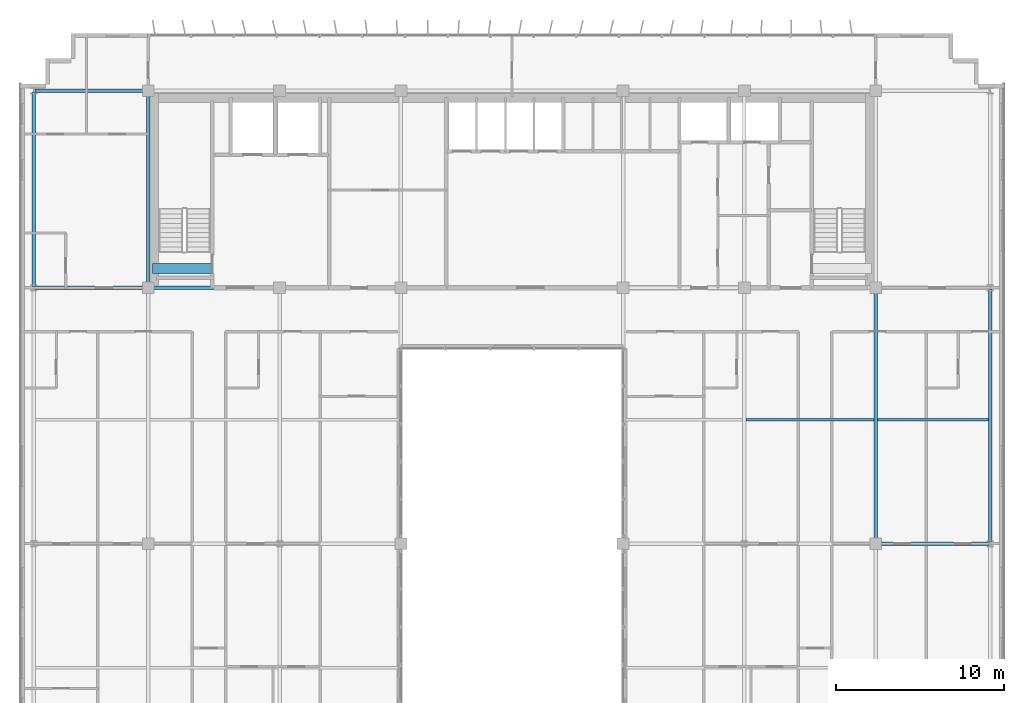
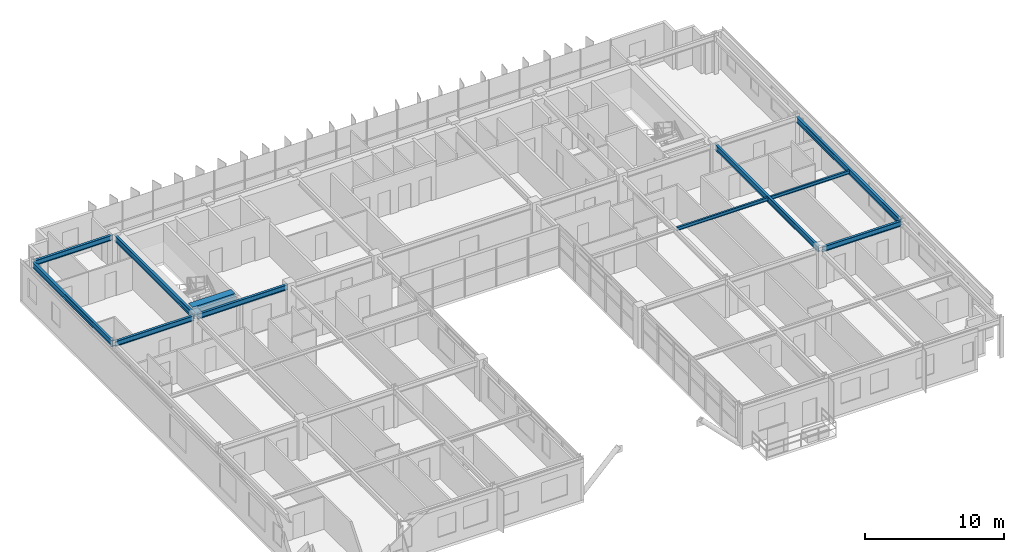
# One storey, part 15 of 34: 11 beams.
"""IFC4 building model written with IfcOpenShell, lengths in metres."""

from ifc_helpers import new_model, si_unit, direction, frame, origin, origin_2d, place, context, subcontext, project, spatial, rectangle, i_section, extrude, source, transform, mapped, material, material_profile, profile_set, type_object, element, save


model = new_model("IFC4")

# Units and contexts
model_context = context("Model", 3, precision=1e-05, world=origin(), true_north=direction((0.0, 1.0)))
body_context = subcontext(model_context, "Body", "Model", "MODEL_VIEW")
ifc_project = project(units=[si_unit("LENGTHUNIT", "METRE"), si_unit("AREAUNIT", "SQUARE_METRE"), si_unit("VOLUMEUNIT", "CUBIC_METRE"), si_unit("PLANEANGLEUNIT", "RADIAN"), si_unit("MASSUNIT", "GRAM", prefix="KILO")], contexts=[model_context])

# Site, building, storey
site_placement = place(None, origin())
site = spatial("IfcSite", under=ifc_project, at=site_placement, CompositionType="ELEMENT")
building_placement = place(site_placement, origin())
building = spatial("IfcBuilding", under=site, at=building_placement, Name="Trelvane Seafront Commons", CompositionType="ELEMENT")
storey_placement = place(building_placement, frame((0.0, 0.0, 197.699951171875)))
storey = spatial("IfcBuildingStorey", under=building, at=storey_placement, Name="L51", CompositionType="ELEMENT", Elevation=197.699951171875)

# Beams
ifc_material_1 = material(Name="Concrete C60/75", Category="concrete")
ifc_material_profile_1 = material_profile(ifc_material_1, rectangle(XDim=0.60009765625, YDim=0.89990234375, at=origin_2d()), Name="RC-600x900")
ifc_profile_set_1 = profile_set([ifc_material_profile_1], Name="Concrete C60/75")
beam_type_1 = type_object("IfcBeamType", Name="STR-LNT-RC600x900", PredefinedType="LINTEL", material=ifc_profile_set_1)
shared_shape_1 = source(origin(), body_context, "Body", "SweptSolid", [
    extrude(rectangle(XDim=0.60009765625, YDim=0.89990234375, at=origin_2d()), origin(), (0.0, 0.0, 1.0), 3.5498046875),
])
beam_1_placement = place(storey_placement, frame((15.85009765625, 34.550048828125, 2.91015625), z_axis=(1.0, 0.0, 0.0), x_axis=(0.0, 1.0, 0.0)))
element("IfcBeam", 1, at=beam_1_placement, inside=storey, type_object=beam_type_1, Name="L51 Core Coupling Lintel Beam CB-67", PredefinedType="LINTEL", context=body_context, shape_type="MappedRepresentation", body=[
    mapped(shared_shape_1, transform((0.0, 0.0, 0.0), x_axis=(1.0, 0.0, 0.0), y_axis=(0.0, 1.0, 0.0), z_axis=(0.0, 0.0, 1.0), scale=1.0)),
])
ifc_material_2 = material(Name="Steel SM355 (S355)", Category="steel")
ifc_material_profile_2 = material_profile(ifc_material_2, i_section(OverallWidth=0.199951171875, OverallDepth=0.5, WebThickness=0.010009765625, FlangeThickness=0.01611328125, at=origin_2d()), Name="H-500x200x10x16")
ifc_profile_set_2 = profile_set([ifc_material_profile_2], Name="Steel SM355 (S355)")
beam_type_2 = type_object("IfcBeamType", Name="STR-BM-H500", PredefinedType="BEAM", material=ifc_profile_set_2)
shared_shape_2 = source(origin(), body_context, "Body", "SweptSolid", [
    extrude(i_section(OverallWidth=0.199951171875, OverallDepth=0.5, WebThickness=0.010009765625, FlangeThickness=0.01611328125, at=origin_2d()), origin(), (0.0, 0.0, 1.0), 14.89990234375),
])
beam_2_placement = place(storey_placement, frame((58.800048828125, 18.35009765625, 3.110107421875), z_axis=(0.0, 1.0, 0.0), x_axis=(-1.0, 0.0, 0.0)))
element("IfcBeam", 2, at=beam_2_placement, inside=storey, type_object=beam_type_2, Name="L51 Primary Girder G-48", PredefinedType="BEAM", context=body_context, shape_type="MappedRepresentation", body=[
    mapped(shared_shape_2, transform((0.0, 0.0, 0.0), x_axis=(1.0, 0.0, 0.0), y_axis=(0.0, 1.0, 0.0), z_axis=(0.0, 0.0, 1.0), scale=1.0)),
])
shared_shape_3 = source(origin(), body_context, "Body", "SweptSolid", [
    extrude(i_section(OverallWidth=0.199951171875, OverallDepth=0.5, WebThickness=0.010009765625, FlangeThickness=0.01611328125, at=origin_2d()), origin(), (0.0, 0.0, 1.0), 11.39990234375),
])
beam_3_placement = place(storey_placement, frame((15.60009765625, 33.550048828125, 3.110107421875), z_axis=(0.0, 1.0, 0.0), x_axis=(-1.0, 0.0, 0.0)))
element("IfcBeam", 3, at=beam_3_placement, inside=storey, type_object=beam_type_2, Name="L51 Primary Girder G-34", PredefinedType="BEAM", context=body_context, shape_type="MappedRepresentation", body=[
    mapped(shared_shape_3, transform((0.0, 0.0, 0.0), x_axis=(1.0, 0.0, 0.0), y_axis=(0.0, 1.0, 0.0), z_axis=(0.0, 0.0, 1.0), scale=1.0)),
])
ifc_material_profile_3 = material_profile(ifc_material_2, i_section(OverallWidth=0.199951171875, OverallDepth=0.449951171875, WebThickness=0.009033203125, FlangeThickness=0.013916015625, at=origin_2d()), Name="H-450x200x9x14")
ifc_profile_set_3 = profile_set([ifc_material_profile_3], Name="Steel SM355 (S355)")
beam_type_3 = type_object("IfcBeamType", Name="STR-SPD-H450", PredefinedType="SPANDREL", material=ifc_profile_set_3)
shared_shape_4 = source(origin(), body_context, "Body", "SweptSolid", [
    extrude(i_section(OverallWidth=0.199951171875, OverallDepth=0.449951171875, WebThickness=0.009033203125, FlangeThickness=0.013916015625, at=origin_2d()), origin(), (0.0, 0.0, 1.0), 6.5625),
])
for number, where, z_axis, x_axis, name in (
    (4, (58.949951171875, 18.199951171875, 3.135009765625), (1.0, 0.0, 0.0), (0.0, 1.0, 0.0), "L51 Primary Girder G-14"),
    (5, (8.887451171875, 33.39990234375, 3.135009765625), (1.0, 0.0, 0.0), (0.0, 1.0, 0.0), "L51 Primary Girder G-15"),
    (6, (8.887451171875, 45.10009765625, 3.135009765625), (1.0, 0.0, 0.0), (0.0, 1.0, 0.0), "L51 Primary Girder G-22"),
):
    element("IfcBeam", number, at=place(storey_placement, frame(where, z_axis=z_axis, x_axis=x_axis)), inside=storey, type_object=beam_type_3, Name=name, PredefinedType="SPANDREL", context=body_context, shape_type="MappedRepresentation", body=[
        mapped(shared_shape_4, transform((0.0, 0.0, 0.0), x_axis=(1.0, 0.0, 0.0), y_axis=(0.0, 1.0, 0.0), z_axis=(0.0, 0.0, 1.0), scale=1.0)),
    ])
shared_shape_5 = source(origin(), body_context, "Body", "SweptSolid", [
    extrude(i_section(OverallWidth=0.199951171875, OverallDepth=0.449951171875, WebThickness=0.009033203125, FlangeThickness=0.013916015625, at=origin_2d()), origin(), (0.0, 0.0, 1.0), 7.5),
])
beam_4_placement = place(storey_placement, frame((15.75, 33.39990234375, 3.135009765625), z_axis=(1.0, 0.0, 0.0), x_axis=(0.0, 1.0, 0.0)))
element("IfcBeam", 7, at=beam_4_placement, inside=storey, type_object=beam_type_3, Name="L51 Primary Girder G-16", PredefinedType="SPANDREL", context=body_context, shape_type="MappedRepresentation", body=[
    mapped(shared_shape_5, transform((0.0, 0.0, 0.0), x_axis=(1.0, 0.0, 0.0), y_axis=(0.0, 1.0, 0.0), z_axis=(0.0, 0.0, 1.0), scale=1.0)),
])
shared_shape_6 = source(origin(), body_context, "Body", "SweptSolid", [
    extrude(i_section(OverallWidth=0.199951171875, OverallDepth=0.5, WebThickness=0.010009765625, FlangeThickness=0.01611328125, at=origin_2d()), origin(), (0.0, 0.0, 1.0), 15.02490234375),
])
beam_5_placement = place(storey_placement, frame((65.60009765625, 18.28759765625, 3.110107421875), z_axis=(0.0, 1.0, 0.0), x_axis=(-1.0, 0.0, 0.0)))
element("IfcBeam", 8, at=beam_5_placement, inside=storey, type_object=beam_type_2, Name="L51 Primary Girder G-51", PredefinedType="BEAM", context=body_context, shape_type="MappedRepresentation", body=[
    mapped(shared_shape_6, transform((0.0, 0.0, 0.0), x_axis=(1.0, 0.0, 0.0), y_axis=(0.0, 1.0, 0.0), z_axis=(0.0, 0.0, 1.0), scale=1.0)),
])
shared_shape_7 = source(origin(), body_context, "Body", "SweptSolid", [
    extrude(i_section(OverallWidth=0.199951171875, OverallDepth=0.5, WebThickness=0.010009765625, FlangeThickness=0.01611328125, at=origin_2d()), origin(), (0.0, 0.0, 1.0), 11.52490234375),
])
beam_6_placement = place(storey_placement, frame((8.800048828125, 33.487548828125, 3.110107421875), z_axis=(0.0, 1.0, 0.0), x_axis=(-1.0, 0.0, 0.0)))
element("IfcBeam", 9, at=beam_6_placement, inside=storey, type_object=beam_type_2, Name="L51 Primary Girder G-31", PredefinedType="BEAM", context=body_context, shape_type="MappedRepresentation", body=[
    mapped(shared_shape_7, transform((0.0, 0.0, 0.0), x_axis=(1.0, 0.0, 0.0), y_axis=(0.0, 1.0, 0.0), z_axis=(0.0, 0.0, 1.0), scale=1.0)),
])
ifc_material_profile_4 = material_profile(ifc_material_2, i_section(OverallWidth=0.14990234375, OverallDepth=0.300048828125, WebThickness=0.006591796875, FlangeThickness=0.009033203125, at=origin_2d()), Name="H-300x150x6.5x9")
ifc_profile_set_4 = profile_set([ifc_material_profile_4], Name="Steel SM355 (S355)")
beam_type_4 = type_object("IfcBeamType", Name="STR-JST-H300", PredefinedType="JOIST", material=ifc_profile_set_4)
shared_shape_8 = source(origin(), body_context, "Body", "SweptSolid", [
    extrude(i_section(OverallWidth=0.14990234375, OverallDepth=0.300048828125, WebThickness=0.006591796875, FlangeThickness=0.009033203125, at=origin_2d()), origin(), (0.0, 0.0, 1.0), 6.60009765625),
])
beam_7_placement = place(storey_placement, frame((58.89990234375, 25.550048828125, 3.2099609375), z_axis=(1.0, 0.0, 0.0), x_axis=(0.0, 1.0, 0.0)))
element("IfcBeam", 10, at=beam_7_placement, inside=storey, type_object=beam_type_4, Name="L51 Secondary Floor Joist B-66", PredefinedType="JOIST", context=body_context, shape_type="MappedRepresentation", body=[
    mapped(shared_shape_8, transform((0.0, 0.0, 0.0), x_axis=(1.0, 0.0, 0.0), y_axis=(0.0, 1.0, 0.0), z_axis=(0.0, 0.0, 1.0), scale=1.0)),
])
shared_shape_9 = source(origin(), body_context, "Body", "SweptSolid", [
    extrude(i_section(OverallWidth=0.14990234375, OverallDepth=0.300048828125, WebThickness=0.006591796875, FlangeThickness=0.009033203125, at=origin_2d()), origin(), (0.0, 0.0, 1.0), 7.599853515625),
])
beam_8_placement = place(storey_placement, frame((51.10009765625, 25.550048828125, 3.2099609375), z_axis=(1.0, 0.0, 0.0), x_axis=(0.0, 1.0, 0.0)))
element("IfcBeam", 11, at=beam_8_placement, inside=storey, type_object=beam_type_4, Name="L51 Secondary Floor Joist B-65", PredefinedType="JOIST", context=body_context, shape_type="MappedRepresentation", body=[
    mapped(shared_shape_9, transform((0.0, 0.0, 0.0), x_axis=(1.0, 0.0, 0.0), y_axis=(0.0, 1.0, 0.0), z_axis=(0.0, 0.0, 1.0), scale=1.0)),
])

save(model, "model.ifc")
